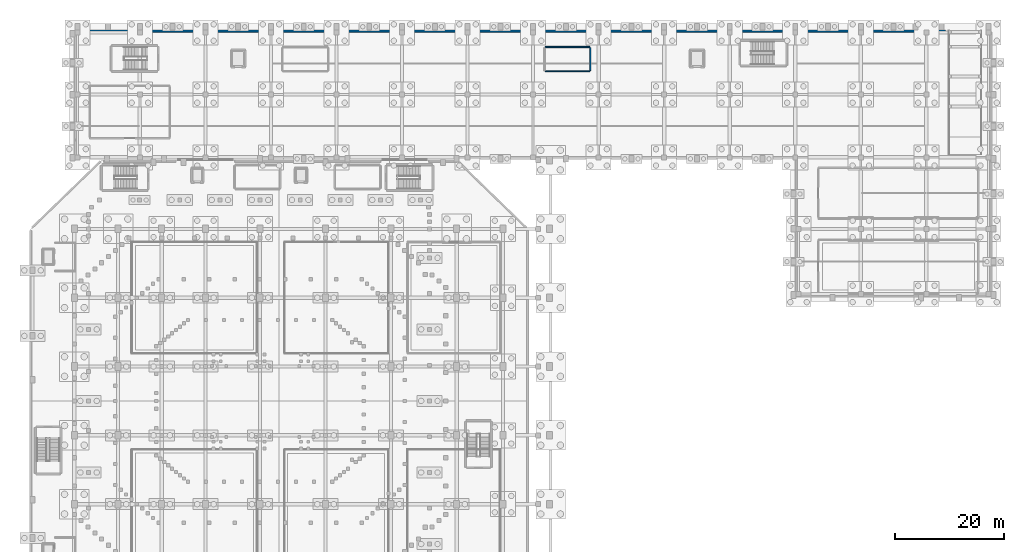
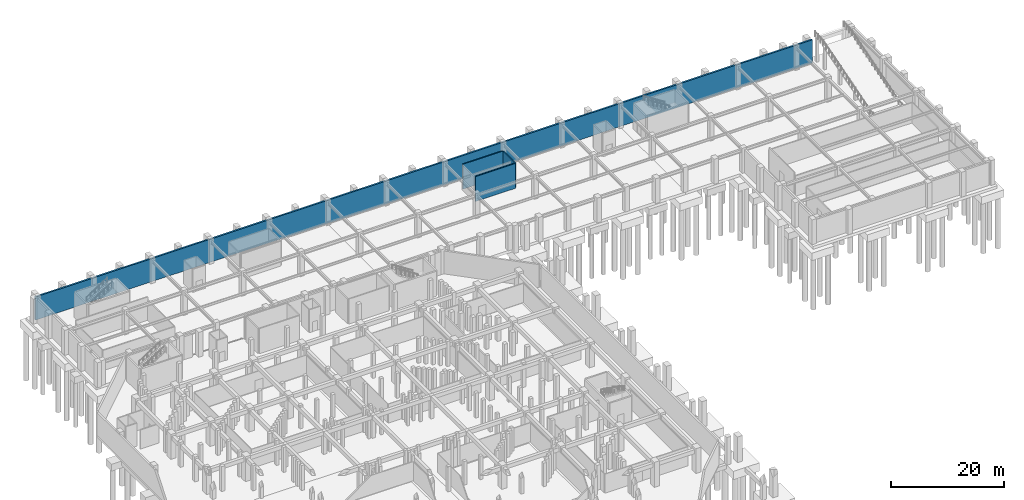
# One storey, part 18 of 27: 4 walls.
"""IFC4 building model written with IfcOpenShell, lengths in metres."""

from ifc_helpers import new_model, si_unit, derived_unit, direction, frame, frame_2d, origin, place, context, subcontext, project, spatial, rectangle, extrude, material, layer, layer_set, type_object, element, save


model = new_model("IFC4")

# Units and contexts
model_context = context("Model", 3, precision=1e-05, world=origin(), true_north=direction((0.0, 1.0)))
body_context = subcontext(model_context, "Body", "Model", "MODEL_VIEW")
ifc_project = project(units=[si_unit("LENGTHUNIT", "METRE"), si_unit("AREAUNIT", "SQUARE_METRE"), si_unit("VOLUMEUNIT", "CUBIC_METRE"), si_unit("PLANEANGLEUNIT", "RADIAN"), si_unit("MASSUNIT", "GRAM", prefix="KILO"), derived_unit("THERMALTRANSMITTANCEUNIT", [(si_unit("MASSUNIT", "GRAM", prefix="KILO"), 1), (si_unit("TIMEUNIT", "SECOND"), -3), (si_unit("THERMODYNAMICTEMPERATUREUNIT", "KELVIN"), -1)])], contexts=[model_context])

# Site, building, storey
site_placement = place(None, origin())
site = spatial("IfcSite", under=ifc_project, at=site_placement, CompositionType="ELEMENT")
building_placement = place(site_placement, origin())
building = spatial("IfcBuilding", under=site, at=building_placement, Name="Valcora Ridge Arena", CompositionType="ELEMENT")
storey_placement = place(building_placement, frame((0.0, 0.0, -5.39990234375)))
storey = spatial("IfcBuildingStorey", under=building, at=storey_placement, Name="B1", CompositionType="ELEMENT", Elevation=-5.39990234375)

# Walls
ifc_material_1 = material(Name="Fire-resisting reinforced concrete enclosure C40/50 200 mm", Category="concrete")
ifc_layer_1 = layer(ifc_material_1, 0.219970703125, Name="Fire-resisting reinforced concrete enclosure C40/50 200 mm")
ifc_layer_set_1 = layer_set([ifc_layer_1], Name="Fire-resisting reinforced concrete enclosure C40/50 200 mm")
wall_type_1 = type_object("IfcWallType", Name="TY-WALL-SW-ES-220", PredefinedType="SHEAR", material=ifc_layer_set_1)
for number, where, z_axis, x_axis, name in (
    (1, (110.199951171875, 124.489990234375, 0.0), (0.0, 0.0, 1.0), (1.0, 0.0, 0.0), "SW-ES-220 WAL-ES-0185"),
    (2, (110.199951171875, 128.909912109375, 0.0), (0.0, 0.0, 1.0), (1.0, 0.0, 0.0), "SW-ES-220 WAL-ES-0186"),
):
    element("IfcWall", number, at=place(storey_placement, frame(where, z_axis=z_axis, x_axis=x_axis)), inside=storey, type_object=wall_type_1, Name=name, PredefinedType="SHEAR", context=body_context, shape_type="SweptSolid", body=[
        extrude(rectangle(XDim=8.16015625, YDim=0.219970703125, at=frame_2d((4.080078125, 0.0))), origin(), (0.0, 0.0, 1.0), 5.39990234375),
    ])
wall_1_placement = place(storey_placement, frame((118.469970703125, 124.60009765625, 0.0), z_axis=(0.0, 0.0, 1.0), x_axis=(0.0, 1.0, 0.0)))
element("IfcWall", 3, at=wall_1_placement, inside=storey, type_object=wall_type_1, Name="SW-ES-220 WAL-ES-0188", PredefinedType="SHEAR", context=body_context, shape_type="SweptSolid", body=[
    extrude(rectangle(XDim=4.199951171875, YDim=0.219970703125, at=frame_2d((2.10009765625, 0.0))), origin(), (0.0, 0.0, 1.0), 5.39990234375),
])
ifc_material_2 = material(Name="Concrete C40/50", Category="concrete")
ifc_layer_2 = layer(ifc_material_2, 0.35009765625, Name="Concrete C40/50")
ifc_layer_set_2 = layer_set([ifc_layer_2], Name="Concrete C40/50")
wall_type_2 = type_object("IfcWallType", Name="TY-WALL-SW-RET-350", PredefinedType="SOLIDWALL", material=ifc_layer_set_2)
wall_2_placement = place(storey_placement, frame((24.199951171875, 131.820068359375, 0.0), z_axis=(0.0, 0.0, 1.0), x_axis=(1.0, 0.0, 0.0)))
element("IfcWall", 4, at=wall_2_placement, inside=storey, type_object=wall_type_2, Name="SW-RET-350 WAL-RT-0011", PredefinedType="SOLIDWALL", context=body_context, shape_type="SweptSolid", body=[
    extrude(rectangle(XDim=159.300048828125, YDim=0.35009765625, at=frame_2d((79.64990234375, 0.0))), origin(), (0.0, 0.0, 1.0), 5.0),
])

save(model, "model.ifc")
